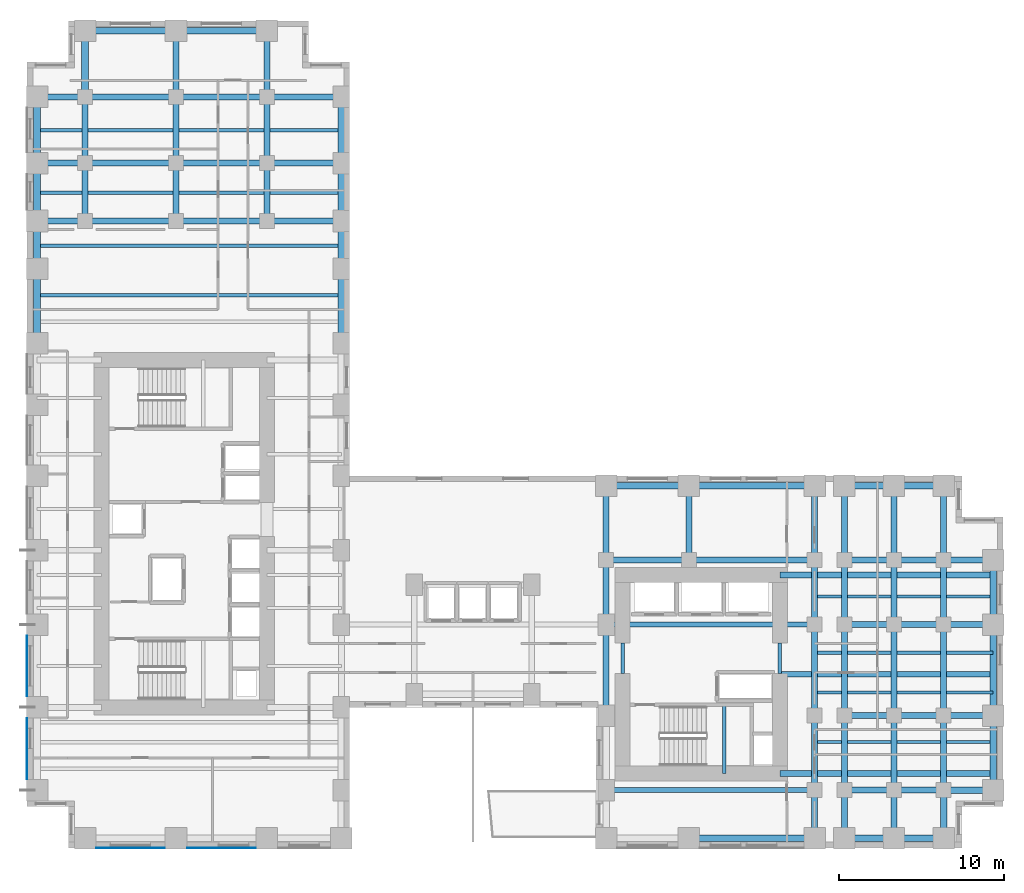
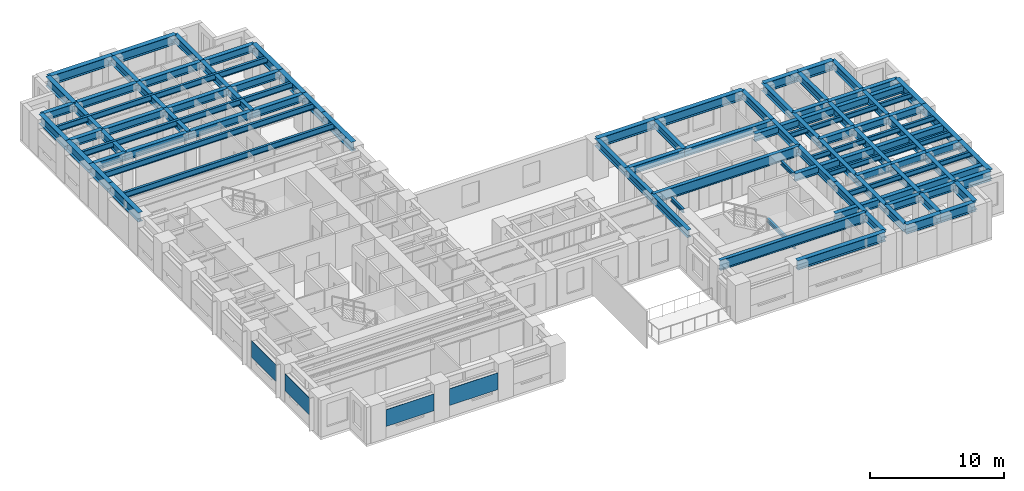
# One storey, part 2 of 13: 95 beams, 4 plates.
"""IFC4 building model written with IfcOpenShell, lengths in metres."""

from ifc_helpers import new_model, si_unit, direction, frame, origin, origin_2d, place, context, subcontext, project, spatial, rectangle, i_section, extrude, source, transform, mapped, material, layer, layer_set, material_profile, profile_set, type_object, element, save


model = new_model("IFC4")

# Units and contexts
model_context = context("Model", 3, precision=1e-05, world=origin(), true_north=direction((0.0, 1.0)))
body_context = subcontext(model_context, "Body", "Model", "MODEL_VIEW")
ifc_project = project(units=[si_unit("LENGTHUNIT", "METRE"), si_unit("AREAUNIT", "SQUARE_METRE"), si_unit("VOLUMEUNIT", "CUBIC_METRE"), si_unit("PLANEANGLEUNIT", "RADIAN"), si_unit("MASSUNIT", "GRAM", prefix="KILO")], contexts=[model_context])

# Site, building, storey
site_placement = place(None, origin())
site = spatial("IfcSite", under=ifc_project, at=site_placement, CompositionType="ELEMENT")
building_placement = place(site_placement, origin())
building = spatial("IfcBuilding", under=site, at=building_placement, Name="Kharzan Plaza Tower", CompositionType="ELEMENT")
storey_placement = place(building_placement, frame((0.0, 0.0, 47.699951171875)))
storey = spatial("IfcBuildingStorey", under=building, at=storey_placement, Name="L12", CompositionType="ELEMENT", Elevation=47.699951171875)

# Beams
ifc_material_1 = material(Name="Steel S355", Category="steel")
ifc_material_profile_1 = material_profile(ifc_material_1, i_section(OverallWidth=0.205078125, OverallDepth=0.35400390625, WebThickness=0.009521484375, FlangeThickness=0.016845703125, at=origin_2d()), Name="W360x79")
ifc_profile_set_1 = profile_set([ifc_material_profile_1], Name="Steel S355")
beam_type_1 = type_object("IfcBeamType", Name="BM-LNT360", PredefinedType="LINTEL", material=ifc_profile_set_1)
shared_shape_1 = source(origin(), body_context, "Body", "SweptSolid", [
    extrude(i_section(OverallWidth=0.205078125, OverallDepth=0.35400390625, WebThickness=0.009521484375, FlangeThickness=0.016845703125, at=origin_2d()), origin(), (0.0, 0.0, 1.0), 1.849853515625),
])
for number, where, z_axis, x_axis, name in (
    (1, (45.5, 10.550048828125, 3.203125), (0.0, 1.0, 0.0), (-1.0, 0.0, 0.0), "L12 CORE-B coupling lintel LN1-WE"),
    (2, (36.0, 10.550048828125, 3.203125), (0.0, 1.0, 0.0), (-1.0, 0.0, 0.0), "L12 CORE-B coupling lintel LN1-WW"),
):
    element("IfcBeam", number, at=place(storey_placement, frame(where, z_axis=z_axis, x_axis=x_axis)), inside=storey, type_object=beam_type_1, Name=name, PredefinedType="LINTEL", context=body_context, shape_type="MappedRepresentation", body=[
        mapped(shared_shape_1, transform((0.0, 0.0, 0.0), x_axis=(1.0, 0.0, 0.0), y_axis=(0.0, 1.0, 0.0), z_axis=(0.0, 0.0, 1.0))),
    ])
shared_shape_2 = source(origin(), body_context, "Body", "SweptSolid", [
    extrude(i_section(OverallWidth=0.205078125, OverallDepth=0.35400390625, WebThickness=0.009521484375, FlangeThickness=0.016845703125, at=origin_2d()), origin(), (0.0, 0.0, 1.0), 4.155029296875),
])
beam_1_placement = place(storey_placement, frame((42.14990234375, 4.5, 1.423095703125), z_axis=(0.0, 1.0, 0.0), x_axis=(-1.0, 0.0, 0.0)))
element("IfcBeam", 3, at=beam_1_placement, inside=storey, type_object=beam_type_1, Name="L12 Stair ST-3 Half-Landing Beam", PredefinedType="LINTEL", context=body_context, shape_type="MappedRepresentation", body=[
    mapped(shared_shape_2, transform((0.0, 0.0, 0.0), x_axis=(1.0, 0.0, 0.0), y_axis=(0.0, 1.0, 0.0), z_axis=(0.0, 0.0, 1.0))),
])
ifc_material_profile_2 = material_profile(ifc_material_1, i_section(OverallWidth=0.304931640625, OverallDepth=0.9189453125, WebThickness=0.017333984375, FlangeThickness=0.02783203125, at=origin_2d()), Name="W920x253")
ifc_profile_set_2 = profile_set([ifc_material_profile_2], Name="Steel S355")
beam_type_2 = type_object("IfcBeamType", Name="BM-FG920B", PredefinedType="BEAM", material=ifc_profile_set_2)
shared_shape_3 = source(origin(), body_context, "Body", "SweptSolid", [
    extrude(i_section(OverallWidth=0.304931640625, OverallDepth=0.9189453125, WebThickness=0.017333984375, FlangeThickness=0.02783203125, at=origin_2d()), origin(), (0.0, 0.0, 1.0), 12.60009765625),
])
for number, where, z_axis, x_axis, name in (
    (4, (35.0, 3.5, 2.920654296875), (1.0, 0.0, 0.0), (0.0, 1.0, 0.0), "L12 Primary Floor Girder"),
    (5, (35.0, 13.5, 2.920654296875), (1.0, 0.0, 0.0), (0.0, 1.0, 0.0), "L12 Primary Floor Girder"),
):
    element("IfcBeam", number, at=place(storey_placement, frame(where, z_axis=z_axis, x_axis=x_axis)), inside=storey, type_object=beam_type_2, Name=name, PredefinedType="BEAM", context=body_context, shape_type="MappedRepresentation", body=[
        mapped(shared_shape_3, transform((0.0, 0.0, 0.0), x_axis=(1.0, 0.0, 0.0), y_axis=(0.0, 1.0, 0.0), z_axis=(0.0, 0.0, 1.0))),
    ])
ifc_material_profile_3 = material_profile(ifc_material_1, i_section(OverallWidth=0.35498046875, OverallDepth=0.695068359375, WebThickness=0.015380859375, FlangeThickness=0.02490234375, at=origin_2d()), Name="W690x217")
ifc_profile_set_3 = profile_set([ifc_material_profile_3], Name="Steel S355")
beam_type_3 = type_object("IfcBeamType", Name="BM-FG690A", PredefinedType="BEAM", material=ifc_profile_set_3)
shared_shape_4 = source(origin(), body_context, "Body", "SweptSolid", [
    extrude(i_section(OverallWidth=0.35498046875, OverallDepth=0.695068359375, WebThickness=0.015380859375, FlangeThickness=0.02490234375, at=origin_2d()), origin(), (0.0, 0.0, 1.0), 4.5),
])
for number, where, z_axis, x_axis, name in (
    (6, (35.0, 17.39990234375, 3.032470703125), (0.0, 1.0, 0.0), (-1.0, 0.0, 0.0), "L12 Interior Frame Girder"),
    (7, (40.0, 17.39990234375, 3.032470703125), (0.0, 1.0, 0.0), (-1.0, 0.0, 0.0), "L12 Interior Frame Girder"),
    (8, (47.60009765625, 3.5, 3.032470703125), (0.0, 1.0, 0.0), (-1.0, 0.0, 0.0), "L12 Interior Frame Girder"),
    (9, (47.60009765625, 17.39990234375, 3.032470703125), (0.0, 1.0, 0.0), (-1.0, 0.0, 0.0), "L12 Interior Frame Girder"),
    (10, (49.39990234375, 3.5, 3.032470703125), (0.0, 1.0, 0.0), (-1.0, 0.0, 0.0), "L12 Interior Frame Girder"),
    (11, (49.39990234375, 17.39990234375, 3.032470703125), (0.0, 1.0, 0.0), (-1.0, 0.0, 0.0), "L12 Interior Frame Girder"),
    (12, (52.39990234375, 3.5, 3.032470703125), (0.0, 1.0, 0.0), (-1.0, 0.0, 0.0), "L12 Interior Frame Girder"),
    (13, (52.39990234375, 17.39990234375, 3.032470703125), (0.0, 1.0, 0.0), (-1.0, 0.0, 0.0), "L12 Interior Frame Girder"),
    (14, (55.39990234375, 3.5, 3.032470703125), (0.0, 1.0, 0.0), (-1.0, 0.0, 0.0), "L12 Interior Frame Girder"),
    (15, (55.39990234375, 17.39990234375, 3.032470703125), (0.0, 1.0, 0.0), (-1.0, 0.0, 0.0), "L12 Interior Frame Girder"),
    (16, (14.5, 41.39990234375, 3.032470703125), (1.0, 0.0, 0.0), (0.0, 1.0, 0.0), "L12 Primary Floor Girder"),
    (17, (14.5, 45.39990234375, 3.032470703125), (1.0, 0.0, 0.0), (0.0, 1.0, 0.0), "L12 Primary Floor Girder"),
    (18, (14.5, 37.89990234375, 3.032470703125), (1.0, 0.0, 0.0), (0.0, 1.0, 0.0), "L12 Primary Floor Girder"),
):
    element("IfcBeam", number, at=place(storey_placement, frame(where, z_axis=z_axis, x_axis=x_axis)), inside=storey, type_object=beam_type_3, Name=name, PredefinedType="BEAM", context=body_context, shape_type="MappedRepresentation", body=[
        mapped(shared_shape_4, transform((0.0, 0.0, 0.0), x_axis=(1.0, 0.0, 0.0), y_axis=(0.0, 1.0, 0.0), z_axis=(0.0, 0.0, 1.0))),
    ])
shared_shape_5 = source(origin(), body_context, "Body", "SweptSolid", [
    extrude(i_section(OverallWidth=0.35498046875, OverallDepth=0.695068359375, WebThickness=0.015380859375, FlangeThickness=0.02490234375, at=origin_2d()), origin(), (0.0, 0.0, 1.0), 3.89990234375),
])
for number, where, z_axis, x_axis, name in (
    (19, (35.0, 13.5, 3.032470703125), (0.0, 1.0, 0.0), (-1.0, 0.0, 0.0), "L12 Interior Frame Girder"),
    (20, (47.60009765625, 13.5, 3.032470703125), (0.0, 1.0, 0.0), (-1.0, 0.0, 0.0), "L12 Interior Frame Girder"),
    (21, (49.39990234375, 13.5, 3.032470703125), (0.0, 1.0, 0.0), (-1.0, 0.0, 0.0), "L12 Interior Frame Girder"),
    (22, (52.39990234375, 13.5, 3.032470703125), (0.0, 1.0, 0.0), (-1.0, 0.0, 0.0), "L12 Interior Frame Girder"),
    (23, (55.39990234375, 13.5, 3.032470703125), (0.0, 1.0, 0.0), (-1.0, 0.0, 0.0), "L12 Interior Frame Girder"),
):
    element("IfcBeam", number, at=place(storey_placement, frame(where, z_axis=z_axis, x_axis=x_axis)), inside=storey, type_object=beam_type_3, Name=name, PredefinedType="BEAM", context=body_context, shape_type="MappedRepresentation", body=[
        mapped(shared_shape_5, transform((0.0, 0.0, 0.0), x_axis=(1.0, 0.0, 0.0), y_axis=(0.0, 1.0, 0.0), z_axis=(0.0, 0.0, 1.0))),
    ])
shared_shape_6 = source(origin(), body_context, "Body", "SweptSolid", [
    extrude(i_section(OverallWidth=0.35498046875, OverallDepth=0.695068359375, WebThickness=0.015380859375, FlangeThickness=0.02490234375, at=origin_2d()), origin(), (0.0, 0.0, 1.0), 12.89990234375),
])
for number, where, z_axis, x_axis, name in (
    (24, (45.5, 4.5, 3.032470703125), (1.0, 0.0, 0.0), (0.0, 1.0, 0.0), "L12 Core-B East Floor Girder 1"),
    (25, (45.5, 10.5, 3.032470703125), (1.0, 0.0, 0.0), (0.0, 1.0, 0.0), "L12 Core-B East Floor Girder 2"),
    (26, (45.5, 16.5, 3.032470703125), (1.0, 0.0, 0.0), (0.0, 1.0, 0.0), "L12 Core-B East Floor Girder 3"),
):
    element("IfcBeam", number, at=place(storey_placement, frame(where, z_axis=z_axis, x_axis=x_axis)), inside=storey, type_object=beam_type_3, Name=name, PredefinedType="BEAM", context=body_context, shape_type="MappedRepresentation", body=[
        mapped(shared_shape_6, transform((0.0, 0.0, 0.0), x_axis=(1.0, 0.0, 0.0), y_axis=(0.0, 1.0, 0.0), z_axis=(0.0, 0.0, 1.0))),
    ])
shared_shape_7 = source(origin(), body_context, "Body", "SweptSolid", [
    extrude(i_section(OverallWidth=0.35498046875, OverallDepth=0.695068359375, WebThickness=0.015380859375, FlangeThickness=0.02490234375, at=origin_2d()), origin(), (0.0, 0.0, 1.0), 3.5),
])
for number, where, z_axis, x_axis, name in (
    (27, (3.5, 37.89990234375, 3.032470703125), (0.0, 1.0, 0.0), (-1.0, 0.0, 0.0), "L12 Interior Frame Girder"),
    (28, (9.0, 37.89990234375, 3.032470703125), (0.0, 1.0, 0.0), (-1.0, 0.0, 0.0), "L12 Interior Frame Girder"),
    (29, (14.5, 37.89990234375, 3.032470703125), (0.0, 1.0, 0.0), (-1.0, 0.0, 0.0), "L12 Interior Frame Girder"),
):
    element("IfcBeam", number, at=place(storey_placement, frame(where, z_axis=z_axis, x_axis=x_axis)), inside=storey, type_object=beam_type_3, Name=name, PredefinedType="BEAM", context=body_context, shape_type="MappedRepresentation", body=[
        mapped(shared_shape_7, transform((0.0, 0.0, 0.0), x_axis=(1.0, 0.0, 0.0), y_axis=(0.0, 1.0, 0.0), z_axis=(0.0, 0.0, 1.0))),
    ])
shared_shape_8 = source(origin(), body_context, "Body", "SweptSolid", [
    extrude(i_section(OverallWidth=0.35498046875, OverallDepth=0.695068359375, WebThickness=0.015380859375, FlangeThickness=0.02490234375, at=origin_2d()), origin(), (0.0, 0.0, 1.0), 4.0),
])
for number, where, z_axis, x_axis, name in (
    (30, (3.5, 41.39990234375, 3.032470703125), (0.0, 1.0, 0.0), (-1.0, 0.0, 0.0), "L12 Interior Frame Girder"),
    (31, (9.0, 41.39990234375, 3.032470703125), (0.0, 1.0, 0.0), (-1.0, 0.0, 0.0), "L12 Interior Frame Girder"),
    (32, (9.0, 45.39990234375, 3.032470703125), (0.0, 1.0, 0.0), (-1.0, 0.0, 0.0), "L12 Interior Frame Girder"),
    (33, (14.5, 41.39990234375, 3.032470703125), (0.0, 1.0, 0.0), (-1.0, 0.0, 0.0), "L12 Interior Frame Girder"),
    (34, (14.5, 45.39990234375, 3.032470703125), (0.0, 1.0, 0.0), (-1.0, 0.0, 0.0), "L12 Interior Frame Girder"),
):
    element("IfcBeam", number, at=place(storey_placement, frame(where, z_axis=z_axis, x_axis=x_axis)), inside=storey, type_object=beam_type_3, Name=name, PredefinedType="BEAM", context=body_context, shape_type="MappedRepresentation", body=[
        mapped(shared_shape_8, transform((0.0, 0.0, 0.0), x_axis=(1.0, 0.0, 0.0), y_axis=(0.0, 1.0, 0.0), z_axis=(0.0, 0.0, 1.0))),
    ])
shared_shape_9 = source(origin(), body_context, "Body", "SweptSolid", [
    extrude(i_section(OverallWidth=0.35498046875, OverallDepth=0.695068359375, WebThickness=0.015380859375, FlangeThickness=0.02490234375, at=origin_2d()), origin(), (0.0, 0.0, 1.0), 5.0),
])
beam_2_placement = place(storey_placement, frame((35.0, 17.39990234375, 3.032470703125), z_axis=(1.0, 0.0, 0.0), x_axis=(0.0, 1.0, 0.0)))
element("IfcBeam", 35, at=beam_2_placement, inside=storey, type_object=beam_type_3, Name="L12 Primary Floor Girder", PredefinedType="BEAM", context=body_context, shape_type="MappedRepresentation", body=[
    mapped(shared_shape_9, transform((0.0, 0.0, 0.0), x_axis=(1.0, 0.0, 0.0), y_axis=(0.0, 1.0, 0.0), z_axis=(0.0, 0.0, 1.0))),
])
shared_shape_10 = source(origin(), body_context, "Body", "SweptSolid", [
    extrude(i_section(OverallWidth=0.35498046875, OverallDepth=0.695068359375, WebThickness=0.015380859375, FlangeThickness=0.02490234375, at=origin_2d()), origin(), (0.0, 0.0, 1.0), 5.5),
])
for number, where, z_axis, x_axis, name in (
    (36, (35.0, 8.0, 3.032470703125), (0.0, 1.0, 0.0), (-1.0, 0.0, 0.0), "L12 Interior Frame Girder"),
    (37, (47.60009765625, 8.0, 3.032470703125), (0.0, 1.0, 0.0), (-1.0, 0.0, 0.0), "L12 Interior Frame Girder"),
    (38, (49.39990234375, 8.0, 3.032470703125), (0.0, 1.0, 0.0), (-1.0, 0.0, 0.0), "L12 Interior Frame Girder"),
    (39, (52.39990234375, 8.0, 3.032470703125), (0.0, 1.0, 0.0), (-1.0, 0.0, 0.0), "L12 Interior Frame Girder"),
    (40, (55.39990234375, 8.0, 3.032470703125), (0.0, 1.0, 0.0), (-1.0, 0.0, 0.0), "L12 Interior Frame Girder"),
    (41, (3.5, 45.39990234375, 3.032470703125), (1.0, 0.0, 0.0), (0.0, 1.0, 0.0), "L12 Primary Floor Girder"),
    (42, (9.0, 45.39990234375, 3.032470703125), (1.0, 0.0, 0.0), (0.0, 1.0, 0.0), "L12 Primary Floor Girder"),
    (43, (3.5, 37.89990234375, 3.032470703125), (1.0, 0.0, 0.0), (0.0, 1.0, 0.0), "L12 Primary Floor Girder"),
    (44, (9.0, 37.89990234375, 3.032470703125), (1.0, 0.0, 0.0), (0.0, 1.0, 0.0), "L12 Primary Floor Girder"),
    (45, (3.5, 41.39990234375, 3.032470703125), (1.0, 0.0, 0.0), (0.0, 1.0, 0.0), "L12 Primary Floor Girder"),
    (46, (9.0, 41.39990234375, 3.032470703125), (1.0, 0.0, 0.0), (0.0, 1.0, 0.0), "L12 Primary Floor Girder"),
):
    element("IfcBeam", number, at=place(storey_placement, frame(where, z_axis=z_axis, x_axis=x_axis)), inside=storey, type_object=beam_type_3, Name=name, PredefinedType="BEAM", context=body_context, shape_type="MappedRepresentation", body=[
        mapped(shared_shape_10, transform((0.0, 0.0, 0.0), x_axis=(1.0, 0.0, 0.0), y_axis=(0.0, 1.0, 0.0), z_axis=(0.0, 0.0, 1.0))),
    ])
shared_shape_11 = source(origin(), body_context, "Body", "SweptSolid", [
    extrude(i_section(OverallWidth=0.35498046875, OverallDepth=0.695068359375, WebThickness=0.015380859375, FlangeThickness=0.02490234375, at=origin_2d()), origin(), (0.0, 0.0, 1.0), 2.89990234375),
])
for number, where, z_axis, x_axis, name in (
    (47, (47.60009765625, 0.60009765625, 3.032470703125), (0.0, 1.0, 0.0), (-1.0, 0.0, 0.0), "L12 Interior Frame Girder"),
    (48, (49.39990234375, 0.60009765625, 3.032470703125), (0.0, 1.0, 0.0), (-1.0, 0.0, 0.0), "L12 Interior Frame Girder"),
    (49, (52.39990234375, 0.60009765625, 3.032470703125), (0.0, 1.0, 0.0), (-1.0, 0.0, 0.0), "L12 Interior Frame Girder"),
    (50, (0.60009765625, 45.39990234375, 3.032470703125), (1.0, 0.0, 0.0), (0.0, 1.0, 0.0), "L12 Primary Floor Girder"),
    (51, (0.60009765625, 37.89990234375, 3.032470703125), (1.0, 0.0, 0.0), (0.0, 1.0, 0.0), "L12 Primary Floor Girder"),
    (52, (0.60009765625, 41.39990234375, 3.032470703125), (1.0, 0.0, 0.0), (0.0, 1.0, 0.0), "L12 Primary Floor Girder"),
):
    element("IfcBeam", number, at=place(storey_placement, frame(where, z_axis=z_axis, x_axis=x_axis)), inside=storey, type_object=beam_type_3, Name=name, PredefinedType="BEAM", context=body_context, shape_type="MappedRepresentation", body=[
        mapped(shared_shape_11, transform((0.0, 0.0, 0.0), x_axis=(1.0, 0.0, 0.0), y_axis=(0.0, 1.0, 0.0), z_axis=(0.0, 0.0, 1.0))),
    ])
shared_shape_12 = source(origin(), body_context, "Body", "SweptSolid", [
    extrude(i_section(OverallWidth=0.35498046875, OverallDepth=0.695068359375, WebThickness=0.015380859375, FlangeThickness=0.02490234375, at=origin_2d()), origin(), (0.0, 0.0, 1.0), 3.0),
])
for number, where, z_axis, x_axis, name in (
    (53, (49.39990234375, 3.5, 3.032470703125), (1.0, 0.0, 0.0), (0.0, 1.0, 0.0), "L12 Primary Floor Girder"),
    (54, (52.39990234375, 3.5, 3.032470703125), (1.0, 0.0, 0.0), (0.0, 1.0, 0.0), "L12 Primary Floor Girder"),
    (55, (49.39990234375, 8.0, 3.032470703125), (1.0, 0.0, 0.0), (0.0, 1.0, 0.0), "L12 Primary Floor Girder"),
    (56, (52.39990234375, 8.0, 3.032470703125), (1.0, 0.0, 0.0), (0.0, 1.0, 0.0), "L12 Primary Floor Girder"),
    (57, (55.39990234375, 8.0, 3.032470703125), (1.0, 0.0, 0.0), (0.0, 1.0, 0.0), "L12 Primary Floor Girder"),
    (58, (49.39990234375, 13.5, 3.032470703125), (1.0, 0.0, 0.0), (0.0, 1.0, 0.0), "L12 Primary Floor Girder"),
    (59, (52.39990234375, 13.5, 3.032470703125), (1.0, 0.0, 0.0), (0.0, 1.0, 0.0), "L12 Primary Floor Girder"),
    (60, (55.39990234375, 13.5, 3.032470703125), (1.0, 0.0, 0.0), (0.0, 1.0, 0.0), "L12 Primary Floor Girder"),
    (61, (49.39990234375, 17.39990234375, 3.032470703125), (1.0, 0.0, 0.0), (0.0, 1.0, 0.0), "L12 Primary Floor Girder"),
    (62, (52.39990234375, 17.39990234375, 3.032470703125), (1.0, 0.0, 0.0), (0.0, 1.0, 0.0), "L12 Primary Floor Girder"),
    (63, (55.39990234375, 17.39990234375, 3.032470703125), (1.0, 0.0, 0.0), (0.0, 1.0, 0.0), "L12 Primary Floor Girder"),
):
    element("IfcBeam", number, at=place(storey_placement, frame(where, z_axis=z_axis, x_axis=x_axis)), inside=storey, type_object=beam_type_3, Name=name, PredefinedType="BEAM", context=body_context, shape_type="MappedRepresentation", body=[
        mapped(shared_shape_12, transform((0.0, 0.0, 0.0), x_axis=(1.0, 0.0, 0.0), y_axis=(0.0, 1.0, 0.0), z_axis=(0.0, 0.0, 1.0))),
    ])
shared_shape_13 = source(origin(), body_context, "Body", "SweptSolid", [
    extrude(i_section(OverallWidth=0.35498046875, OverallDepth=0.695068359375, WebThickness=0.015380859375, FlangeThickness=0.02490234375, at=origin_2d()), origin(), (0.0, 0.0, 1.0), 7.60009765625),
])
beam_3_placement = place(storey_placement, frame((40.0, 17.39990234375, 3.032470703125), z_axis=(1.0, 0.0, 0.0), x_axis=(0.0, 1.0, 0.0)))
element("IfcBeam", 64, at=beam_3_placement, inside=storey, type_object=beam_type_3, Name="L12 Primary Floor Girder", PredefinedType="BEAM", context=body_context, shape_type="MappedRepresentation", body=[
    mapped(shared_shape_13, transform((0.0, 0.0, 0.0), x_axis=(1.0, 0.0, 0.0), y_axis=(0.0, 1.0, 0.0), z_axis=(0.0, 0.0, 1.0))),
])
ifc_material_profile_4 = material_profile(ifc_material_1, i_section(OverallWidth=0.2099609375, OverallDepth=0.537109375, WebThickness=0.010986328125, FlangeThickness=0.017333984375, at=origin_2d()), Name="W530x101")
ifc_profile_set_4 = profile_set([ifc_material_profile_4], Name="Steel S355")
beam_type_4 = type_object("IfcBeamType", Name="BM-JST530B", PredefinedType="JOIST", material=ifc_profile_set_4)
shared_shape_14 = source(origin(), body_context, "Body", "SweptSolid", [
    extrude(i_section(OverallWidth=0.2099609375, OverallDepth=0.537109375, WebThickness=0.010986328125, FlangeThickness=0.017333984375, at=origin_2d()), origin(), (0.0, 0.0, 1.0), 18.39990234375),
])
for number, where, z_axis, x_axis, name in (
    (65, (0.60009765625, 33.39990234375, 3.111572265625), (1.0, 0.0, 0.0), (0.0, 1.0, 0.0), "L12 Wing A Composite Joist 05"),
    (66, (0.60009765625, 36.39990234375, 3.111572265625), (1.0, 0.0, 0.0), (0.0, 1.0, 0.0), "L12 Wing A Composite Joist 06"),
    (67, (0.60009765625, 39.60009765625, 3.111572265625), (1.0, 0.0, 0.0), (0.0, 1.0, 0.0), "L12 Wing A Composite Joist 07"),
    (68, (0.60009765625, 43.39990234375, 3.111572265625), (1.0, 0.0, 0.0), (0.0, 1.0, 0.0), "L12 Wing A Composite Joist 08"),
):
    element("IfcBeam", number, at=place(storey_placement, frame(where, z_axis=z_axis, x_axis=x_axis)), inside=storey, type_object=beam_type_4, Name=name, PredefinedType="JOIST", context=body_context, shape_type="MappedRepresentation", body=[
        mapped(shared_shape_14, transform((0.0, 0.0, 0.0), x_axis=(1.0, 0.0, 0.0), y_axis=(0.0, 1.0, 0.0), z_axis=(0.0, 0.0, 1.0))),
    ])
ifc_material_profile_5 = material_profile(ifc_material_1, i_section(OverallWidth=0.194091796875, OverallDepth=0.468994140625, WebThickness=0.011474609375, FlangeThickness=0.0205078125, at=origin_2d()), Name="W460x106")
ifc_profile_set_5 = profile_set([ifc_material_profile_5], Name="Steel S355")
beam_type_5 = type_object("IfcBeamType", Name="BM-JST460", PredefinedType="JOIST", material=ifc_profile_set_5)
shared_shape_15 = source(origin(), body_context, "Body", "SweptSolid", [
    extrude(i_section(OverallWidth=0.194091796875, OverallDepth=0.468994140625, WebThickness=0.011474609375, FlangeThickness=0.0205078125, at=origin_2d()), origin(), (0.0, 0.0, 1.0), 10.7998046875),
])
for number, where, z_axis, x_axis, name in (
    (69, (47.60009765625, 6.39990234375, 3.1455078125), (1.0, 0.0, 0.0), (0.0, 1.0, 0.0), "L12 Wing B Composite Joist 02"),
    (70, (47.60009765625, 9.39990234375, 3.1455078125), (1.0, 0.0, 0.0), (0.0, 1.0, 0.0), "L12 Wing B Composite Joist 03"),
    (71, (47.60009765625, 11.800048828125, 3.1455078125), (1.0, 0.0, 0.0), (0.0, 1.0, 0.0), "L12 Wing B Composite Joist 04"),
    (72, (47.60009765625, 15.199951171875, 3.1455078125), (1.0, 0.0, 0.0), (0.0, 1.0, 0.0), "L12 Wing B Composite Joist 05"),
):
    element("IfcBeam", number, at=place(storey_placement, frame(where, z_axis=z_axis, x_axis=x_axis)), inside=storey, type_object=beam_type_5, Name=name, PredefinedType="JOIST", context=body_context, shape_type="MappedRepresentation", body=[
        mapped(shared_shape_15, transform((0.0, 0.0, 0.0), x_axis=(1.0, 0.0, 0.0), y_axis=(0.0, 1.0, 0.0), z_axis=(0.0, 0.0, 1.0))),
    ])
ifc_material_profile_6 = material_profile(ifc_material_1, i_section(OverallWidth=0.40087890625, OverallDepth=0.85498046875, WebThickness=0.018310546875, FlangeThickness=0.029296875, at=origin_2d()), Name="W840x299")
ifc_profile_set_6 = profile_set([ifc_material_profile_6], Name="Steel S355")
beam_type_6 = type_object("IfcBeamType", Name="BM-SP840A", PredefinedType="SPANDREL", material=ifc_profile_set_6)
shared_shape_16 = source(origin(), body_context, "Body", "SweptSolid", [
    extrude(i_section(OverallWidth=0.40087890625, OverallDepth=0.85498046875, WebThickness=0.018310546875, FlangeThickness=0.029296875, at=origin_2d()), origin(), (0.0, 0.0, 1.0), 5.0),
])
beam_4_placement = place(storey_placement, frame((35.0, 21.89990234375, 2.95263671875), z_axis=(1.0, 0.0, 0.0), x_axis=(0.0, 1.0, 0.0)))
element("IfcBeam", 73, at=beam_4_placement, inside=storey, type_object=beam_type_6, Name="L12 Perimeter Tube Spandrel", PredefinedType="SPANDREL", context=body_context, shape_type="MappedRepresentation", body=[
    mapped(shared_shape_16, transform((0.0, 0.0, 0.0), x_axis=(1.0, 0.0, 0.0), y_axis=(0.0, 1.0, 0.0), z_axis=(0.0, 0.0, 1.0))),
])
shared_shape_17 = source(origin(), body_context, "Body", "SweptSolid", [
    extrude(i_section(OverallWidth=0.40087890625, OverallDepth=0.85498046875, WebThickness=0.018310546875, FlangeThickness=0.029296875, at=origin_2d()), origin(), (0.0, 0.0, 1.0), 4.5),
])
for number, where, z_axis, x_axis, name in (
    (74, (0.60009765625, 30.5, 2.95263671875), (0.0, 1.0, 0.0), (-1.0, 0.0, 0.0), "L12 Perimeter Tube Spandrel"),
    (75, (19.0, 30.5, 2.95263671875), (0.0, 1.0, 0.0), (-1.0, 0.0, 0.0), "L12 Perimeter Tube Spandrel"),
    (76, (58.39990234375, 3.5, 2.95263671875), (0.0, 1.0, 0.0), (-1.0, 0.0, 0.0), "L12 Perimeter Tube Spandrel"),
):
    element("IfcBeam", number, at=place(storey_placement, frame(where, z_axis=z_axis, x_axis=x_axis)), inside=storey, type_object=beam_type_6, Name=name, PredefinedType="SPANDREL", context=body_context, shape_type="MappedRepresentation", body=[
        mapped(shared_shape_17, transform((0.0, 0.0, 0.0), x_axis=(1.0, 0.0, 0.0), y_axis=(0.0, 1.0, 0.0), z_axis=(0.0, 0.0, 1.0))),
    ])
shared_shape_18 = source(origin(), body_context, "Body", "SweptSolid", [
    extrude(i_section(OverallWidth=0.40087890625, OverallDepth=0.85498046875, WebThickness=0.018310546875, FlangeThickness=0.029296875, at=origin_2d()), origin(), (0.0, 0.0, 1.0), 2.89990234375),
])
for number, where, z_axis, x_axis, name in (
    (77, (0.60009765625, 35.0, 2.95263671875), (0.0, 1.0, 0.0), (-1.0, 0.0, 0.0), "L12 Perimeter Tube Spandrel"),
    (78, (19.0, 35.0, 2.95263671875), (0.0, 1.0, 0.0), (-1.0, 0.0, 0.0), "L12 Perimeter Tube Spandrel"),
    (79, (55.39990234375, 0.60009765625, 2.95263671875), (0.0, 1.0, 0.0), (-1.0, 0.0, 0.0), "L12 Perimeter Tube Spandrel"),
):
    element("IfcBeam", number, at=place(storey_placement, frame(where, z_axis=z_axis, x_axis=x_axis)), inside=storey, type_object=beam_type_6, Name=name, PredefinedType="SPANDREL", context=body_context, shape_type="MappedRepresentation", body=[
        mapped(shared_shape_18, transform((0.0, 0.0, 0.0), x_axis=(1.0, 0.0, 0.0), y_axis=(0.0, 1.0, 0.0), z_axis=(0.0, 0.0, 1.0))),
    ])
shared_shape_19 = source(origin(), body_context, "Body", "SweptSolid", [
    extrude(i_section(OverallWidth=0.40087890625, OverallDepth=0.85498046875, WebThickness=0.018310546875, FlangeThickness=0.029296875, at=origin_2d()), origin(), (0.0, 0.0, 1.0), 3.5),
])
for number, where, z_axis, x_axis, name in (
    (80, (0.60009765625, 37.89990234375, 2.95263671875), (0.0, 1.0, 0.0), (-1.0, 0.0, 0.0), "L12 Perimeter Tube Spandrel"),
    (81, (19.0, 37.89990234375, 2.95263671875), (0.0, 1.0, 0.0), (-1.0, 0.0, 0.0), "L12 Perimeter Tube Spandrel"),
):
    element("IfcBeam", number, at=place(storey_placement, frame(where, z_axis=z_axis, x_axis=x_axis)), inside=storey, type_object=beam_type_6, Name=name, PredefinedType="SPANDREL", context=body_context, shape_type="MappedRepresentation", body=[
        mapped(shared_shape_19, transform((0.0, 0.0, 0.0), x_axis=(1.0, 0.0, 0.0), y_axis=(0.0, 1.0, 0.0), z_axis=(0.0, 0.0, 1.0))),
    ])
shared_shape_20 = source(origin(), body_context, "Body", "SweptSolid", [
    extrude(i_section(OverallWidth=0.40087890625, OverallDepth=0.85498046875, WebThickness=0.018310546875, FlangeThickness=0.029296875, at=origin_2d()), origin(), (0.0, 0.0, 1.0), 4.0),
])
for number, where, z_axis, x_axis, name in (
    (82, (0.60009765625, 41.39990234375, 2.95263671875), (0.0, 1.0, 0.0), (-1.0, 0.0, 0.0), "L12 Perimeter Tube Spandrel"),
    (83, (3.5, 45.39990234375, 2.95263671875), (0.0, 1.0, 0.0), (-1.0, 0.0, 0.0), "L12 Perimeter Tube Spandrel"),
    (84, (19.0, 41.39990234375, 2.95263671875), (0.0, 1.0, 0.0), (-1.0, 0.0, 0.0), "L12 Perimeter Tube Spandrel"),
):
    element("IfcBeam", number, at=place(storey_placement, frame(where, z_axis=z_axis, x_axis=x_axis)), inside=storey, type_object=beam_type_6, Name=name, PredefinedType="SPANDREL", context=body_context, shape_type="MappedRepresentation", body=[
        mapped(shared_shape_20, transform((0.0, 0.0, 0.0), x_axis=(1.0, 0.0, 0.0), y_axis=(0.0, 1.0, 0.0), z_axis=(0.0, 0.0, 1.0))),
    ])
shared_shape_21 = source(origin(), body_context, "Body", "SweptSolid", [
    extrude(i_section(OverallWidth=0.40087890625, OverallDepth=0.85498046875, WebThickness=0.018310546875, FlangeThickness=0.029296875, at=origin_2d()), origin(), (0.0, 0.0, 1.0), 5.5),
])
for number, where, z_axis, x_axis, name in (
    (85, (58.39990234375, 8.0, 2.95263671875), (0.0, 1.0, 0.0), (-1.0, 0.0, 0.0), "L12 Perimeter Tube Spandrel"),
    (86, (3.5, 49.39990234375, 2.95263671875), (1.0, 0.0, 0.0), (0.0, 1.0, 0.0), "L12 Perimeter Tube Spandrel"),
    (87, (9.0, 49.39990234375, 2.95263671875), (1.0, 0.0, 0.0), (0.0, 1.0, 0.0), "L12 Perimeter Tube Spandrel"),
):
    element("IfcBeam", number, at=place(storey_placement, frame(where, z_axis=z_axis, x_axis=x_axis)), inside=storey, type_object=beam_type_6, Name=name, PredefinedType="SPANDREL", context=body_context, shape_type="MappedRepresentation", body=[
        mapped(shared_shape_21, transform((0.0, 0.0, 0.0), x_axis=(1.0, 0.0, 0.0), y_axis=(0.0, 1.0, 0.0), z_axis=(0.0, 0.0, 1.0))),
    ])
shared_shape_22 = source(origin(), body_context, "Body", "SweptSolid", [
    extrude(i_section(OverallWidth=0.40087890625, OverallDepth=0.85498046875, WebThickness=0.018310546875, FlangeThickness=0.029296875, at=origin_2d()), origin(), (0.0, 0.0, 1.0), 3.89990234375),
])
beam_5_placement = place(storey_placement, frame((58.39990234375, 13.5, 2.95263671875), z_axis=(0.0, 1.0, 0.0), x_axis=(-1.0, 0.0, 0.0)))
element("IfcBeam", 88, at=beam_5_placement, inside=storey, type_object=beam_type_6, Name="L12 Perimeter Tube Spandrel", PredefinedType="SPANDREL", context=body_context, shape_type="MappedRepresentation", body=[
    mapped(shared_shape_22, transform((0.0, 0.0, 0.0), x_axis=(1.0, 0.0, 0.0), y_axis=(0.0, 1.0, 0.0), z_axis=(0.0, 0.0, 1.0))),
])
shared_shape_23 = source(origin(), body_context, "Body", "SweptSolid", [
    extrude(i_section(OverallWidth=0.40087890625, OverallDepth=0.85498046875, WebThickness=0.018310546875, FlangeThickness=0.029296875, at=origin_2d()), origin(), (0.0, 0.0, 1.0), 7.60009765625),
])
for number, where, z_axis, x_axis, name in (
    (89, (40.0, 0.60009765625, 2.95263671875), (1.0, 0.0, 0.0), (0.0, 1.0, 0.0), "L12 Perimeter Tube Spandrel"),
    (90, (40.0, 21.89990234375, 2.95263671875), (1.0, 0.0, 0.0), (0.0, 1.0, 0.0), "L12 Perimeter Tube Spandrel"),
):
    element("IfcBeam", number, at=place(storey_placement, frame(where, z_axis=z_axis, x_axis=x_axis)), inside=storey, type_object=beam_type_6, Name=name, PredefinedType="SPANDREL", context=body_context, shape_type="MappedRepresentation", body=[
        mapped(shared_shape_23, transform((0.0, 0.0, 0.0), x_axis=(1.0, 0.0, 0.0), y_axis=(0.0, 1.0, 0.0), z_axis=(0.0, 0.0, 1.0))),
    ])
shared_shape_24 = source(origin(), body_context, "Body", "SweptSolid", [
    extrude(i_section(OverallWidth=0.40087890625, OverallDepth=0.85498046875, WebThickness=0.018310546875, FlangeThickness=0.029296875, at=origin_2d()), origin(), (0.0, 0.0, 1.0), 3.0),
])
for number, where, z_axis, x_axis, name in (
    (91, (49.39990234375, 0.60009765625, 2.95263671875), (1.0, 0.0, 0.0), (0.0, 1.0, 0.0), "L12 Perimeter Tube Spandrel"),
    (92, (52.39990234375, 0.60009765625, 2.95263671875), (1.0, 0.0, 0.0), (0.0, 1.0, 0.0), "L12 Perimeter Tube Spandrel"),
    (93, (55.39990234375, 3.5, 2.95263671875), (1.0, 0.0, 0.0), (0.0, 1.0, 0.0), "L12 Perimeter Tube Spandrel"),
    (94, (49.39990234375, 21.89990234375, 2.95263671875), (1.0, 0.0, 0.0), (0.0, 1.0, 0.0), "L12 Perimeter Tube Spandrel"),
    (95, (52.39990234375, 21.89990234375, 2.95263671875), (1.0, 0.0, 0.0), (0.0, 1.0, 0.0), "L12 Perimeter Tube Spandrel"),
):
    element("IfcBeam", number, at=place(storey_placement, frame(where, z_axis=z_axis, x_axis=x_axis)), inside=storey, type_object=beam_type_6, Name=name, PredefinedType="SPANDREL", context=body_context, shape_type="MappedRepresentation", body=[
        mapped(shared_shape_24, transform((0.0, 0.0, 0.0), x_axis=(1.0, 0.0, 0.0), y_axis=(0.0, 1.0, 0.0), z_axis=(0.0, 0.0, 1.0))),
    ])

# Plates
ifc_material_2 = material(Name="Perforated Bronze-Anodized Aluminium", Category="aluminium")
ifc_layer = layer(ifc_material_2, 0.030029296875)
ifc_layer_set = layer_set([ifc_layer], Name="Perforated Bronze-Anodized Aluminium")
plate_type = type_object("IfcPlateType", Name="PLT-MASH-SCREEN", PredefinedType="SHEET", material=ifc_layer_set)
shared_shape_25 = source(origin(), body_context, "Body", "SweptSolid", [
    extrude(rectangle(XDim=3.6640625, YDim=0.030029296875, at=origin_2d()), origin(), (0.0, 0.0, 1.0), 1.530029296875),
])
for number, where, z_axis, x_axis, name in (
    (96, (-0.012939453125, 11.0, 1.06494140625), (0.0, 0.0, 1.0), (0.0, -1.0, 0.0), "L12 Perforated Mashrabiya Solar Screen"),
    (97, (-0.012939453125, 6.0, 1.06494140625), (0.0, 0.0, 1.0), (0.0, -1.0, 0.0), "L12 Perforated Mashrabiya Solar Screen"),
):
    element("IfcPlate", number, at=place(storey_placement, frame(where, z_axis=z_axis, x_axis=x_axis)), inside=storey, type_object=plate_type, Name=name, PredefinedType="SHEET", context=body_context, shape_type="MappedRepresentation", body=[
        mapped(shared_shape_25, transform((0.0, 0.0, 0.0), x_axis=(1.0, 0.0, 0.0), y_axis=(0.0, 1.0, 0.0), z_axis=(0.0, 0.0, 1.0))),
    ])
shared_shape_26 = source(origin(), body_context, "Body", "SweptSolid", [
    extrude(rectangle(XDim=4.1640625, YDim=0.030029296875, at=origin_2d()), origin(), (0.0, 0.0, 1.0), 1.530029296875),
])
for number, where, z_axis, x_axis, name in (
    (98, (6.25, -0.012939453125, 1.06494140625), (0.0, 0.0, 1.0), (1.0, 0.0, 0.0), "L12 Perforated Mashrabiya Solar Screen"),
    (99, (11.75, -0.012939453125, 1.06494140625), (0.0, 0.0, 1.0), (1.0, 0.0, 0.0), "L12 Perforated Mashrabiya Solar Screen"),
):
    element("IfcPlate", number, at=place(storey_placement, frame(where, z_axis=z_axis, x_axis=x_axis)), inside=storey, type_object=plate_type, Name=name, PredefinedType="SHEET", context=body_context, shape_type="MappedRepresentation", body=[
        mapped(shared_shape_26, transform((0.0, 0.0, 0.0), x_axis=(1.0, 0.0, 0.0), y_axis=(0.0, 1.0, 0.0), z_axis=(0.0, 0.0, 1.0))),
    ])

save(model, "model.ifc")
